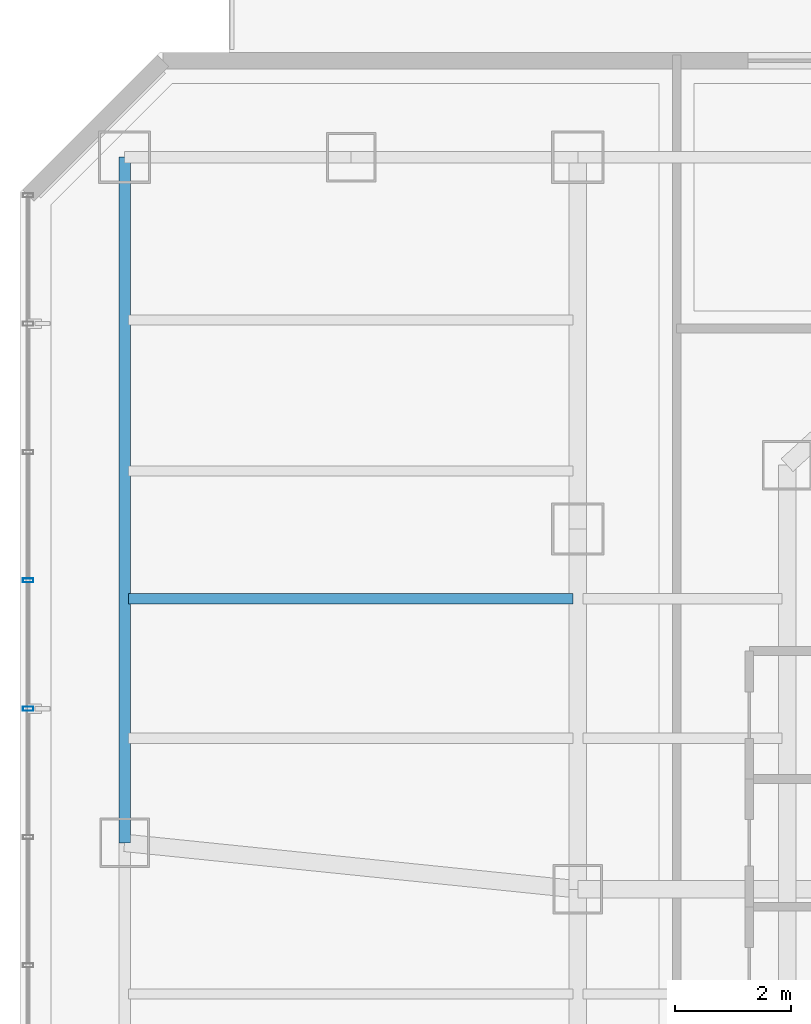
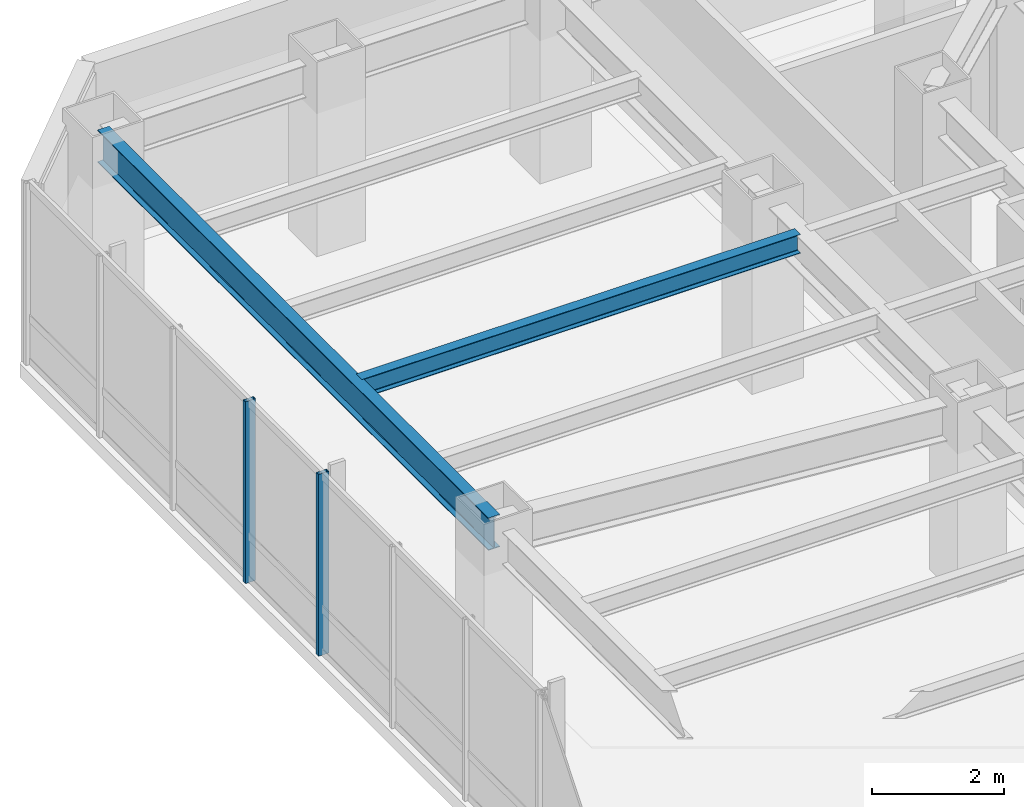
# One storey, part 15 of 29: 2 beams, 2 members, 1 element without a shape of its own.
"""IFC4 building model written with IfcOpenShell, lengths in metres."""

from ifc_helpers import new_model, si_unit, direction, frame, origin, origin_2d, place, context, subcontext, project, spatial, hollow_rectangle, i_section, extrude, material, layer, layer_set, material_profile, profile_set, type_object, element, aggregate, save


model = new_model("IFC4")

# Units and contexts
model_context = context("Model", 3, precision=1e-05, world=origin(), true_north=direction((0.0, 1.0)))
body_context = subcontext(model_context, "Body", "Model", "MODEL_VIEW")
ifc_project = project(units=[si_unit("LENGTHUNIT", "METRE"), si_unit("AREAUNIT", "SQUARE_METRE"), si_unit("VOLUMEUNIT", "CUBIC_METRE"), si_unit("PLANEANGLEUNIT", "RADIAN"), si_unit("MASSUNIT", "GRAM", prefix="KILO")], contexts=[model_context])

# Site, building, storey
site_placement = place(None, origin())
site = spatial("IfcSite", under=ifc_project, at=site_placement, CompositionType="ELEMENT")
building_placement = place(site_placement, origin())
building = spatial("IfcBuilding", under=site, at=building_placement, Name="Hatsunagi Terrace Concourse", CompositionType="ELEMENT")
storey_placement = place(building_placement, frame((0.0, 0.0, 104.85009765625)))
storey = spatial("IfcBuildingStorey", under=building, at=storey_placement, Name="L27", CompositionType="ELEMENT", Elevation=104.85009765625)

# Curtain wall, members
ifc_material_1 = material(Name="Anodised Aluminium Alloy 6063-T5", Category="aluminium")
ifc_layer = layer(ifc_material_1, 0.199951171875)
ifc_layer_set = layer_set([ifc_layer], Name="OfficeZone1_CW03")
curtain_wall_type = type_object("IfcCurtainWallType", Name="OfficeZone1_CW03", PredefinedType="NOTDEFINED", material=ifc_layer_set)
curtain_wall_placement = place(storey_placement, origin())
curtain_wall = element("IfcCurtainWall", 1, at=curtain_wall_placement, inside=storey, type_object=curtain_wall_type, Name="Unitised Curtain Wall CW-03 CW-L27-09", PredefinedType="NOTDEFINED")
ifc_material_2 = material(Name="Anodised Aluminium Alloy 6063-T5", Category="aluminium")
ifc_material_profile_1 = material_profile(ifc_material_2, hollow_rectangle(XDim=0.070068359375, YDim=0.179931640625, WallThickness=0.00390625, at=origin_2d()), Name="ALU-MUL-180x70x4")
ifc_profile_set_1 = profile_set([ifc_material_profile_1], Name="Anodised Aluminium Alloy 6063-T5")
member_type = type_object("IfcMemberType", Name="CurtainWallMullion_180x70", PredefinedType="MULLION", material=ifc_profile_set_1)
member_1_placement = place(storey_placement, frame((9.739990234375, 39.10791015625, 0.0), z_axis=(0.0, 0.0, 1.0), x_axis=(0.0, 1.0, 0.0)))
member_1 = element("IfcMember", 2, at=member_1_placement, type_object=member_type, Name="Curtain Wall Mullion MUL-02", PredefinedType="MULLION", context=body_context, shape_type="SweptSolid", body=[
    extrude(hollow_rectangle(XDim=0.070068359375, YDim=0.179931640625, WallThickness=0.00390625, at=origin_2d()), origin(), (0.0, 0.0, 1.0), 3.349853515625),
])
member_2_placement = place(storey_placement, frame((9.739990234375, 41.31689453125, 0.0), z_axis=(0.0, 0.0, 1.0), x_axis=(0.0, 1.0, 0.0)))
member_2 = element("IfcMember", 3, at=member_2_placement, type_object=member_type, Name="Curtain Wall Mullion MUL-02", PredefinedType="MULLION", context=body_context, shape_type="SweptSolid", body=[
    extrude(hollow_rectangle(XDim=0.070068359375, YDim=0.179931640625, WallThickness=0.00390625, at=origin_2d()), origin(), (0.0, 0.0, 1.0), 3.349853515625),
])
aggregate(curtain_wall, [member_1, member_2])

# Beams
ifc_material_3 = material(Name="Steel SN490B", Category="steel")
ifc_material_profile_2 = material_profile(ifc_material_3, i_section(OverallWidth=0.175048828125, OverallDepth=0.35009765625, WebThickness=0.007080078125, FlangeThickness=0.010986328125, FilletRadius=0.012939453125, at=origin_2d()), Name="H-350x175x7x11")
ifc_profile_set_2 = profile_set([ifc_material_profile_2], Name="Steel SN490B")
beam_type_1 = type_object("IfcBeamType", Name="HotelJoist_H_350x175", PredefinedType="JOIST", material=ifc_profile_set_2)
beam_1_placement = place(storey_placement, frame((11.465087890625, 41.0, 3.1748046875), z_axis=(1.0, 0.0, 0.0), x_axis=(0.0, 1.0, 0.0)))
element("IfcBeam", 4, at=beam_1_placement, inside=storey, type_object=beam_type_1, Name="Beam J-02 J-L27-W-11-410", PredefinedType="JOIST", context=body_context, shape_type="SweptSolid", body=[
    extrude(i_section(OverallWidth=0.175048828125, OverallDepth=0.35009765625, WebThickness=0.007080078125, FlangeThickness=0.010986328125, FilletRadius=0.012939453125, at=origin_2d()), origin(), (0.0, 0.0, 1.0), 7.64990234375),
])
ifc_material_4 = material(Name="Steel SN490B", Category="steel")
ifc_material_profile_3 = material_profile(ifc_material_4, i_section(OverallWidth=0.199951171875, OverallDepth=0.60009765625, WebThickness=0.010986328125, FlangeThickness=0.01708984375, FilletRadius=0.01806640625, at=origin_2d()), Name="H-600x200x11x17")
ifc_profile_set_3 = profile_set([ifc_material_profile_3], Name="Steel SN490B")
beam_type_2 = type_object("IfcBeamType", Name="PerimeterSpandrel_H_600x200", PredefinedType="SPANDREL", material=ifc_profile_set_3)
beam_2_placement = place(storey_placement, frame((11.39990234375, 36.800048828125, 3.0498046875), z_axis=(0.0, 1.0, 0.0), x_axis=(-1.0, 0.0, 0.0)))
element("IfcBeam", 5, at=beam_2_placement, inside=storey, type_object=beam_type_2, Name="Beam SP-01 BM-L27-NS-11-36", PredefinedType="SPANDREL", context=body_context, shape_type="SweptSolid", body=[
    extrude(i_section(OverallWidth=0.199951171875, OverallDepth=0.60009765625, WebThickness=0.010986328125, FlangeThickness=0.01708984375, FilletRadius=0.01806640625, at=origin_2d()), origin(), (0.0, 0.0, 1.0), 11.800048828125),
])

save(model, "model.ifc")
